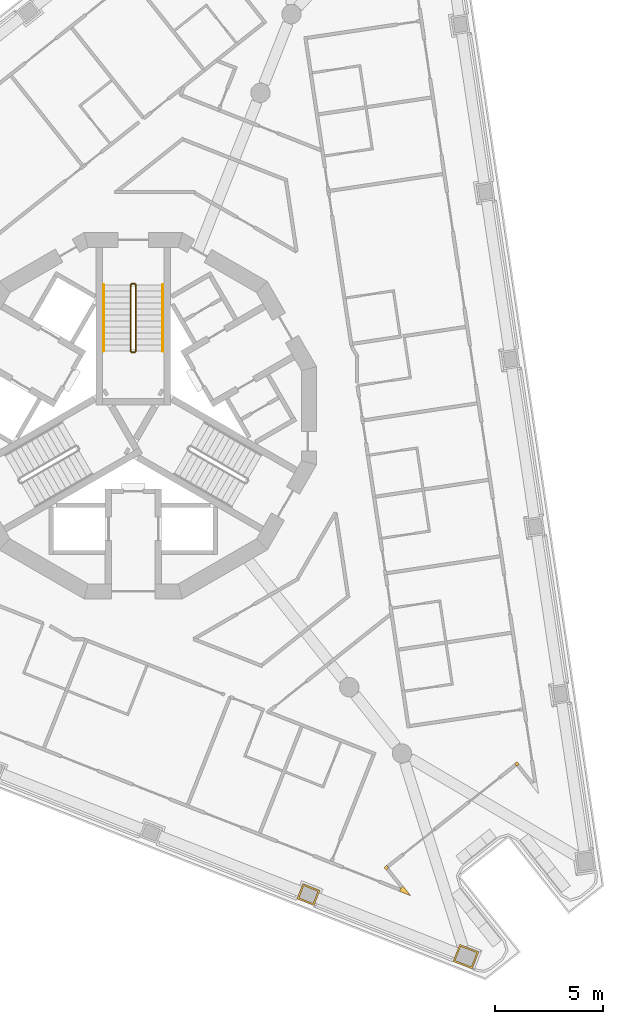
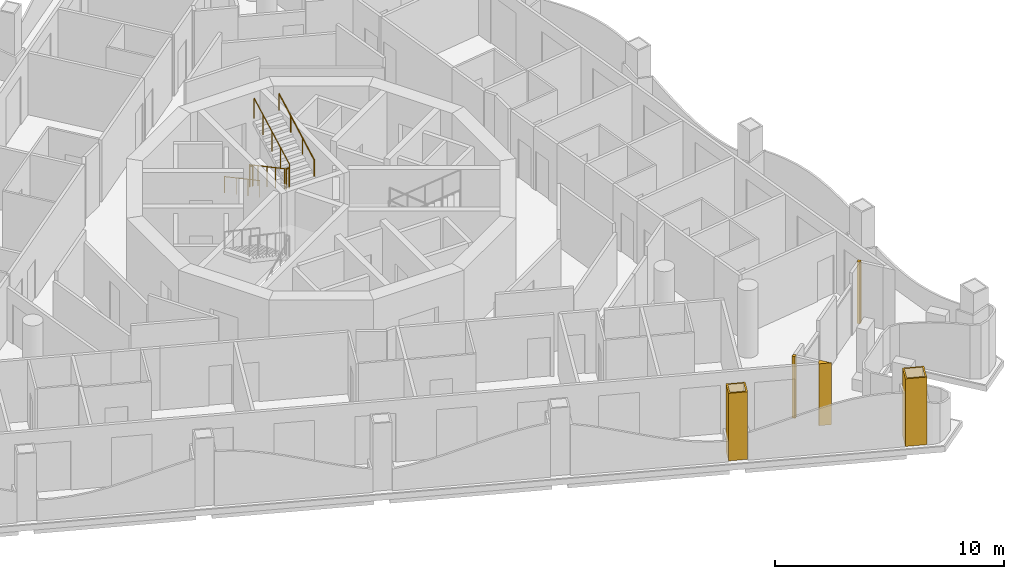
# One storey, part 13 of 16: 6 railings, 5 coverings.
"""IFC4 building model written with IfcOpenShell, lengths in metres."""

from ifc_helpers import new_model, si_unit, direction, frame, origin, origin_2d, place, context, subcontext, project, spatial, polyline, circle, outline, extrude, material, layer, layer_set, type_object, element, save


model = new_model("IFC4")

# Units and contexts
model_context = context("Model", 3, precision=1e-05, world=origin(), true_north=direction((0.0, 1.0)))
body_context = subcontext(model_context, "Body", "Model", "MODEL_VIEW")
ifc_project = project(units=[si_unit("LENGTHUNIT", "METRE"), si_unit("AREAUNIT", "SQUARE_METRE"), si_unit("VOLUMEUNIT", "CUBIC_METRE"), si_unit("PLANEANGLEUNIT", "RADIAN"), si_unit("MASSUNIT", "GRAM", prefix="KILO")], contexts=[model_context])

# Site, building, storey
site_placement = place(None, origin())
site = spatial("IfcSite", under=ifc_project, at=site_placement, CompositionType="ELEMENT")
building_placement = place(site_placement, origin())
building = spatial("IfcBuilding", under=site, at=building_placement, Name="Trine Commons Tower", CompositionType="ELEMENT")
storey_placement = place(building_placement, frame((0.0, 0.0, 219.60009765625)))
storey = spatial("IfcBuildingStorey", under=building, at=storey_placement, Name="L57", CompositionType="ELEMENT", Elevation=219.60009765625)

# Coverings
ifc_material_1 = material(Name="Aluminium-framed insulated wall panel", Category="aluminium")
ifc_layer_1 = layer(ifc_material_1, 0.14990234375)
ifc_layer_set_1 = layer_set([ifc_layer_1], Name="Aluminium-framed insulated wall panel")
covering_type_1 = type_object("IfcCoveringType", Name="Glazing corner post, aluminium", PredefinedType="CLADDING", material=ifc_layer_set_1)
covering_1_placement = place(storey_placement, origin())
element("IfcCovering", 1, at=covering_1_placement, inside=storey, type_object=covering_type_1, Name="Glazing corner post 6-07", PredefinedType="CLADDING", context=body_context, shape_type="SweptSolid", body=[
    extrude(outline(polyline([(97.682861328125, 46.35791015625), (97.7763671875, 46.240478515625), (97.7763671875, 46.240478515625), (97.893798828125, 46.333740234375), (97.80029296875, 46.451171875), (97.80029296875, 46.451171875), (97.682861328125, 46.35791015625)])), origin(), (0.0, 0.0, 1.0), 3.2998046875),
])
covering_2_placement = place(storey_placement, origin())
element("IfcCovering", 2, at=covering_2_placement, inside=storey, type_object=covering_type_1, Name="Glazing corner post 6-08", PredefinedType="CLADDING", context=body_context, shape_type="SweptSolid", body=[
    extrude(outline(polyline([(91.726806640625, 41.42822265625), (91.843994140625, 41.521728515625), (91.750732421875, 41.63916015625), (91.63330078125, 41.545654296875), (91.726806640625, 41.42822265625)])), origin(), (0.0, 0.0, 1.0), 3.2998046875),
])
covering_3_placement = place(storey_placement, origin())
element("IfcCovering", 3, at=covering_3_placement, inside=storey, type_object=covering_type_1, Name="Glazing corner post 6-09", PredefinedType="CLADDING", context=body_context, shape_type="SweptSolid", body=[
    extrude(outline(polyline([(92.34765625, 40.439208984375), (92.868408203125, 40.23388671875), (92.52001953125, 40.672119140625), (92.402587890625, 40.57861328125), (92.34765625, 40.439208984375)])), origin(), (0.0, 0.0, 1.0), 3.2998046875),
])
ifc_material_2 = material(Name="Limestone, honed", Category="masonry")
ifc_layer_2 = layer(ifc_material_2, 0.074951171875)
ifc_layer_set_2 = layer_set([ifc_layer_2], Name="Limestone, honed")
covering_type_2 = type_object("IfcCoveringType", Name="Limestone column cladding 75", PredefinedType="CLADDING", material=ifc_layer_set_2)
covering_4_placement = place(storey_placement, origin())
element("IfcCovering", 4, at=covering_4_placement, inside=storey, type_object=covering_type_2, Name="Limestone pier cladding 6-01", PredefinedType="CLADDING", context=body_context, shape_type="SweptSolid", body=[
    extrude(outline(polyline([(95.143310546875, 37.978271484375), (94.831787109375, 37.1875), (95.715576171875, 36.839111328125), (96.027099609375, 37.6298828125), (95.143310546875, 37.978271484375)]), holes=[polyline([(95.185546875, 37.880859375), (94.928955078125, 37.229736328125), (95.67333984375, 36.9365234375), (95.9296875, 37.587646484375), (95.185546875, 37.880859375)])]), origin(), (0.0, 0.0, 1.0), 3.599853515625),
])
covering_5_placement = place(storey_placement, origin())
element("IfcCovering", 5, at=covering_5_placement, inside=storey, type_object=covering_type_2, Name="Limestone pier cladding 6-02", PredefinedType="CLADDING", context=body_context, shape_type="SweptSolid", body=[
    extrude(outline(polyline([(87.8671875, 40.790771484375), (87.59228515625, 40.093017578125), (88.383056640625, 39.78125), (88.657958984375, 40.47900390625), (87.8671875, 40.790771484375)]), holes=[polyline([(87.909423828125, 40.693359375), (87.689453125, 40.13525390625), (88.3408203125, 39.878662109375), (88.560791015625, 40.436767578125), (87.909423828125, 40.693359375)])]), origin(), (0.0, 0.0, 1.0), 3.599853515625),
])

# Railings
ifc_material_3 = material(Name="Stainless steel balustrade", Category="steel")
railing_type_1 = type_object("IfcRailingType", Name="Stair guard, steel balustrade 1100", PredefinedType="GUARDRAIL", material=ifc_material_3)
railing_1_placement = place(storey_placement, frame((79.875, 68.570556640625, 0.14990234375)))
element("IfcRailing", 6, at=railing_1_placement, inside=storey, type_object=railing_type_1, Name="L57 ST1C stair guard 1", PredefinedType="GUARDRAIL", context=body_context, shape_type="SweptSolid", body=[
    extrude(circle(Radius=0.02392578125, at=origin_2d()), frame((0.0, 0.0, 1.076171875), z_axis=(0.0, -0.881496589024, 0.472190389079), x_axis=(1.0, 0.0, 0.0)), (0.0, 0.0, 1.0), 3.494140625),
    extrude(circle(Radius=0.02099609375, at=origin_2d()), origin(), (0.0, 0.0, 1.0), 1.052001953125),
    extrude(circle(Radius=0.02099609375, at=origin_2d()), frame((0.0, -0.77001953125, 0.41259765625)), (0.0, 0.0, 1.0), 1.052001953125),
    extrude(circle(Radius=0.02099609375, at=origin_2d()), frame((0.0, -1.5400390625, 0.824951171875)), (0.0, 0.0, 1.0), 1.052001953125),
    extrude(circle(Radius=0.02099609375, at=origin_2d()), frame((0.0, -2.31005859375, 1.2373046875)), (0.0, 0.0, 1.0), 1.052001953125),
    extrude(circle(Radius=0.02099609375, at=origin_2d()), frame((0.0, -3.080078125, 1.64990234375)), (0.0, 0.0, 1.0), 1.052001953125),
])
railing_2_placement = place(storey_placement, frame((79.925048828125, 65.440673828125, 1.7998046875)))
element("IfcRailing", 7, at=railing_2_placement, inside=storey, type_object=railing_type_1, Name="L57 ST1C stair guard 2", PredefinedType="GUARDRAIL", context=body_context, shape_type="SweptSolid", body=[
    extrude(circle(Radius=0.02392578125, at=origin_2d()), frame((0.0, 0.0, 1.076171875), z_axis=(1.0, 0.0, 0.0), x_axis=(0.0, 1.0, 0.0)), (0.0, 0.0, 1.0), 0.14990234375),
    extrude(circle(Radius=0.02099609375, at=origin_2d()), origin(), (0.0, 0.0, 1.0), 1.052001953125),
    extrude(circle(Radius=0.02099609375, at=origin_2d()), frame((0.14990234375, 0.0, 0.0)), (0.0, 0.0, 1.0), 1.052001953125),
])
railing_3_placement = place(storey_placement, frame((80.125, 65.490478515625, 1.949951171875)))
element("IfcRailing", 8, at=railing_3_placement, inside=storey, type_object=railing_type_1, Name="L57 ST1C stair guard 3", PredefinedType="GUARDRAIL", context=body_context, shape_type="SweptSolid", body=[
    extrude(circle(Radius=0.02392578125, at=origin_2d()), frame((0.0, 0.0, 1.076171875), z_axis=(0.0, 0.881496589024, 0.472190389079), x_axis=(-1.0, 0.0, 0.0)), (0.0, 0.0, 1.0), 3.494140625),
    extrude(circle(Radius=0.02099609375, at=origin_2d()), origin(), (0.0, 0.0, 1.0), 1.052001953125),
    extrude(circle(Radius=0.02099609375, at=origin_2d()), frame((0.0, 0.77001953125, 0.41259765625)), (0.0, 0.0, 1.0), 1.052001953125),
    extrude(circle(Radius=0.02099609375, at=origin_2d()), frame((0.0, 1.5400390625, 0.824951171875)), (0.0, 0.0, 1.0), 1.052001953125),
    extrude(circle(Radius=0.02099609375, at=origin_2d()), frame((0.0, 2.31005859375, 1.2373046875)), (0.0, 0.0, 1.0), 1.052001953125),
    extrude(circle(Radius=0.02099609375, at=origin_2d()), frame((0.0, 3.080078125, 1.64990234375)), (0.0, 0.0, 1.0), 1.052001953125),
])
railing_4_placement = place(storey_placement, frame((79.925048828125, 68.62060546875, 0.0)))
element("IfcRailing", 9, at=railing_4_placement, inside=storey, type_object=railing_type_1, Name="L57 ST1C stair guard 4", PredefinedType="GUARDRAIL", context=body_context, shape_type="SweptSolid", body=[
    extrude(circle(Radius=0.02392578125, at=origin_2d()), frame((0.0, 0.0, 1.076171875), z_axis=(1.0, 0.0, 0.0), x_axis=(0.0, 1.0, 0.0)), (0.0, 0.0, 1.0), 0.14990234375),
    extrude(circle(Radius=0.02099609375, at=origin_2d()), origin(), (0.0, 0.0, 1.0), 1.052001953125),
    extrude(circle(Radius=0.02099609375, at=origin_2d()), frame((0.14990234375, 0.0, 0.0)), (0.0, 0.0, 1.0), 1.052001953125),
])
ifc_material_4 = material(Name="Stainless steel handrail", Category="steel")
railing_type_2 = type_object("IfcRailingType", Name="Stair handrail, steel 900", PredefinedType="HANDRAIL", material=ifc_material_4)
railing_5_placement = place(storey_placement, frame((78.625, 68.570556640625, 0.14990234375)))
element("IfcRailing", 10, at=railing_5_placement, inside=storey, type_object=railing_type_2, Name="L57 ST1C stair handrail 1", PredefinedType="HANDRAIL", context=body_context, shape_type="SweptSolid", body=[
    extrude(circle(Radius=0.02099609375, at=origin_2d()), frame((0.0, 0.0, 0.87890625), z_axis=(0.0, -0.881496589024, 0.472190389079), x_axis=(1.0, 0.0, 0.0)), (0.0, 0.0, 1.0), 3.494140625),
    extrude(circle(Radius=0.01513671875, at=origin_2d()), origin(), (0.0, 0.0, 1.0), 0.85791015625),
    extrude(circle(Radius=0.01513671875, at=origin_2d()), frame((0.0, -1.026611328125, 0.550048828125)), (0.0, 0.0, 1.0), 0.85791015625),
    extrude(circle(Radius=0.01513671875, at=origin_2d()), frame((0.0, -2.053466796875, 1.099853515625)), (0.0, 0.0, 1.0), 0.85791015625),
    extrude(circle(Radius=0.01513671875, at=origin_2d()), frame((0.0, -3.080078125, 1.64990234375)), (0.0, 0.0, 1.0), 0.85791015625),
])
railing_6_placement = place(storey_placement, frame((81.375, 65.490478515625, 1.949951171875)))
element("IfcRailing", 11, at=railing_6_placement, inside=storey, type_object=railing_type_2, Name="L57 ST1C stair handrail 2", PredefinedType="HANDRAIL", context=body_context, shape_type="SweptSolid", body=[
    extrude(circle(Radius=0.02099609375, at=origin_2d()), frame((0.0, 0.0, 0.87890625), z_axis=(0.0, 0.881496589024, 0.472190389079), x_axis=(-1.0, 0.0, 0.0)), (0.0, 0.0, 1.0), 3.494140625),
    extrude(circle(Radius=0.01513671875, at=origin_2d()), origin(), (0.0, 0.0, 1.0), 0.85791015625),
    extrude(circle(Radius=0.01513671875, at=origin_2d()), frame((0.0, 1.026611328125, 0.550048828125)), (0.0, 0.0, 1.0), 0.85791015625),
    extrude(circle(Radius=0.01513671875, at=origin_2d()), frame((0.0, 2.053466796875, 1.099853515625)), (0.0, 0.0, 1.0), 0.85791015625),
    extrude(circle(Radius=0.01513671875, at=origin_2d()), frame((0.0, 3.080078125, 1.64990234375)), (0.0, 0.0, 1.0), 0.85791015625),
])

save(model, "model.ifc")
